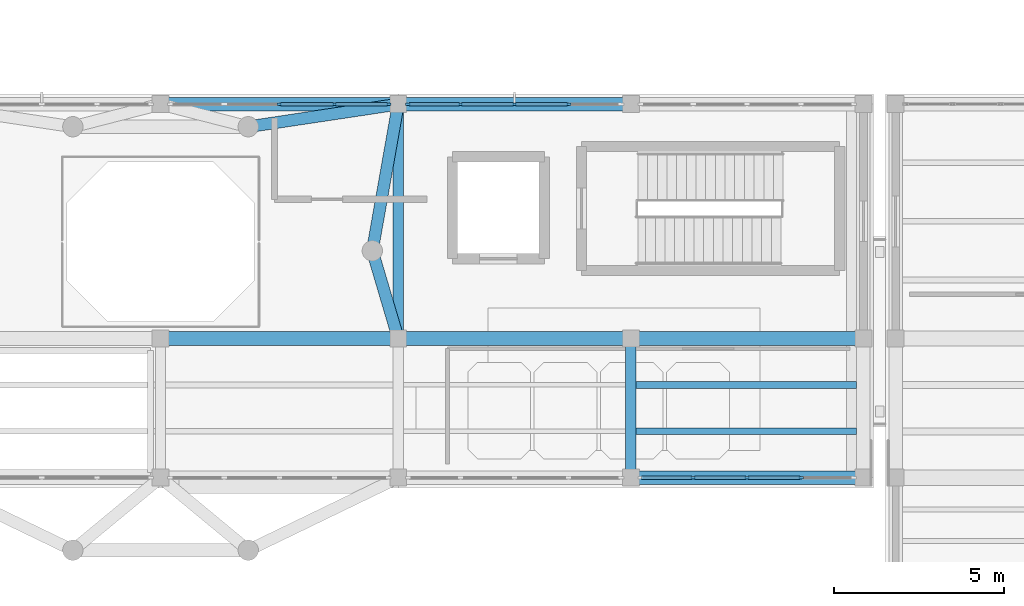
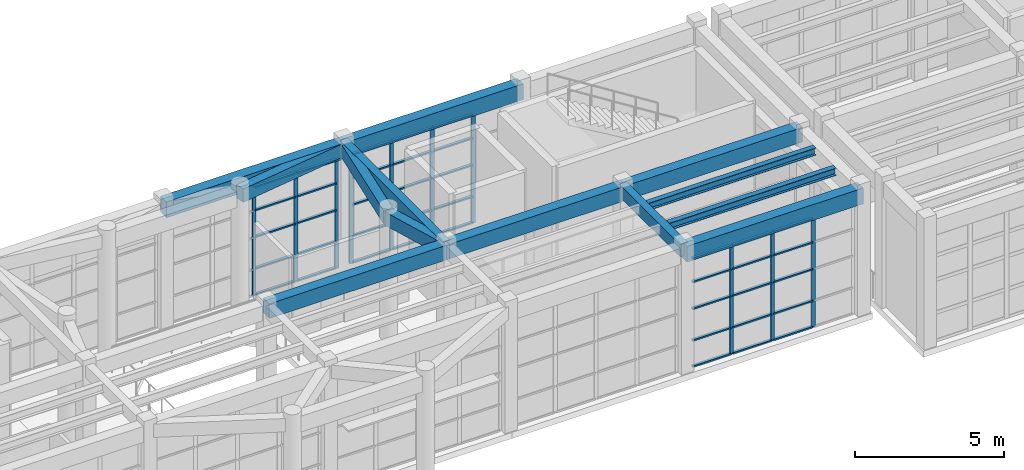
# One storey, part 19 of 103: 50 members, 13 beams, 3 elements without a shape of their own.
"""IFC4 building model written with IfcOpenShell, lengths in metres."""

from ifc_helpers import new_model, si_unit, direction, frame, origin, origin_2d, place, context, subcontext, project, spatial, rectangle, i_section, extrude, material, layer, layer_set, material_profile, profile_set, type_object, element, aggregate, save


model = new_model("IFC4")

# Units and contexts
model_context = context("Model", 3, precision=1e-05, world=origin(), true_north=direction((0.0, 1.0)))
body_context = subcontext(model_context, "Body", "Model", "MODEL_VIEW")
ifc_project = project(units=[si_unit("LENGTHUNIT", "METRE"), si_unit("AREAUNIT", "SQUARE_METRE"), si_unit("VOLUMEUNIT", "CUBIC_METRE"), si_unit("PLANEANGLEUNIT", "RADIAN"), si_unit("MASSUNIT", "GRAM", prefix="KILO")], contexts=[model_context])

# Site, building, storey
site_placement = place(None, origin())
site = spatial("IfcSite", under=ifc_project, at=site_placement, CompositionType="ELEMENT")
building_placement = place(site_placement, origin())
building = spatial("IfcBuilding", under=site, at=building_placement, Name="Candilejo Ridge Gondola Terminal", CompositionType="ELEMENT")
storey_placement = place(building_placement, frame((0.0, 0.0, 9.0)))
storey = spatial("IfcBuildingStorey", under=building, at=storey_placement, Name="L02", CompositionType="ELEMENT", Elevation=9.0)

# Curtain wall, members
ifc_material_1 = material(Name="Anodised aluminium AA 6063-T6", Category="aluminium")
ifc_layer_1 = layer(ifc_material_1, 0.169921875)
ifc_layer_set_1 = layer_set([ifc_layer_1], Name="ARC-CW-DRUM-3400-650X449")
curtain_wall_type_1 = type_object("IfcCurtainWallType", Name="ARC-CW-DRUM-3400-650X449", PredefinedType="NOTDEFINED", material=ifc_layer_set_1)
curtain_wall_1_placement = place(storey_placement, origin())
curtain_wall_1 = element("IfcCurtainWall", 1, at=curtain_wall_1_placement, inside=storey, type_object=curtain_wall_type_1, Name="Curtain wall V2 L02-052", PredefinedType="NOTDEFINED")
ifc_material_2 = material(Name="Anodised aluminium AA 6063-T6", Category="aluminium")
ifc_material_profile_1 = material_profile(ifc_material_2, rectangle(XDim=0.06494140625, YDim=0.14990234375, at=origin_2d()))
ifc_profile_set_1 = profile_set([ifc_material_profile_1], Name="Anodised aluminium AA 6063-T6")
member_type_1 = type_object("IfcMemberType", Name="ARC-CW-MULLION-150", PredefinedType="MULLION", material=ifc_profile_set_1)
member_1_placement = place(storey_placement, frame((68.85009765625, 36.699951171875, 0.0), z_axis=(0.0, 0.0, 1.0), x_axis=(0.0, 1.0, 0.0)))
member_1 = element("IfcMember", 2, at=member_1_placement, type_object=member_type_1, Name="CW-65X44 mullion 3", PredefinedType="MULLION", context=body_context, shape_type="SweptSolid", body=[
    extrude(rectangle(XDim=0.06494140625, YDim=0.14990234375, at=origin_2d()), origin(), (0.0, 0.0, 1.0), 4.489990234375),
])
member_2_placement = place(storey_placement, frame((70.47509765625, 36.699951171875, 0.0), z_axis=(0.0, 0.0, 1.0), x_axis=(0.0, 1.0, 0.0)))
member_2 = element("IfcMember", 3, at=member_2_placement, type_object=member_type_1, Name="CW-65X44 mullion 4", PredefinedType="MULLION", context=body_context, shape_type="SweptSolid", body=[
    extrude(rectangle(XDim=0.06494140625, YDim=0.14990234375, at=origin_2d()), origin(), (0.0, 0.0, 1.0), 4.489990234375),
])
member_3_placement = place(storey_placement, frame((72.0673828125, 36.699951171875, 0.0), z_axis=(0.0, 0.0, 1.0), x_axis=(0.0, 1.0, 0.0)))
member_3 = element("IfcMember", 4, at=member_3_placement, type_object=member_type_1, Name="CW-65X44 mullion 5", PredefinedType="MULLION", context=body_context, shape_type="SweptSolid", body=[
    extrude(rectangle(XDim=0.06494140625, YDim=0.14990234375, at=origin_2d()), origin(), (0.0, 0.0, 1.0), 4.489990234375),
])

ifc_material_3 = material(Name="Anodised aluminium AA 6063-T6", Category="aluminium")
ifc_layer_2 = layer(ifc_material_3, 0.169921875)
ifc_layer_set_2 = layer_set([ifc_layer_2], Name="ARC-CW-DRUM-3400-635X449")
curtain_wall_type_2 = type_object("IfcCurtainWallType", Name="ARC-CW-DRUM-3400-635X449", PredefinedType="NOTDEFINED", material=ifc_layer_set_2)
curtain_wall_2_placement = place(storey_placement, origin())
curtain_wall_2 = element("IfcCurtainWall", 5, at=curtain_wall_2_placement, inside=storey, type_object=curtain_wall_type_2, Name="Curtain wall V2 L02-054", PredefinedType="NOTDEFINED")
member_4_placement = place(storey_placement, frame((72.632568359375, 36.699951171875, 0.0), z_axis=(0.0, 0.0, 1.0), x_axis=(0.0, 1.0, 0.0)))
member_4 = element("IfcMember", 6, at=member_4_placement, type_object=member_type_1, Name="CW-63X44 mullion 1", PredefinedType="MULLION", context=body_context, shape_type="SweptSolid", body=[
    extrude(rectangle(XDim=0.06494140625, YDim=0.14990234375, at=origin_2d()), origin(), (0.0, 0.0, 1.0), 4.489990234375),
])
member_5_placement = place(storey_placement, frame((74.1875, 36.699951171875, 0.0), z_axis=(0.0, 0.0, 1.0), x_axis=(0.0, 1.0, 0.0)))
member_5 = element("IfcMember", 7, at=member_5_placement, type_object=member_type_1, Name="CW-63X44 mullion 2", PredefinedType="MULLION", context=body_context, shape_type="SweptSolid", body=[
    extrude(rectangle(XDim=0.06494140625, YDim=0.14990234375, at=origin_2d()), origin(), (0.0, 0.0, 1.0), 4.489990234375),
])
member_6_placement = place(storey_placement, frame((75.77490234375, 36.699951171875, 0.0), z_axis=(0.0, 0.0, 1.0), x_axis=(0.0, 1.0, 0.0)))
member_6 = element("IfcMember", 8, at=member_6_placement, type_object=member_type_1, Name="CW-63X44 mullion 3", PredefinedType="MULLION", context=body_context, shape_type="SweptSolid", body=[
    extrude(rectangle(XDim=0.06494140625, YDim=0.14990234375, at=origin_2d()), origin(), (0.0, 0.0, 1.0), 4.489990234375),
])
member_7_placement = place(storey_placement, frame((77.362548828125, 36.699951171875, 0.0), z_axis=(0.0, 0.0, 1.0), x_axis=(0.0, 1.0, 0.0)))
member_7 = element("IfcMember", 9, at=member_7_placement, type_object=member_type_1, Name="CW-63X44 mullion 4", PredefinedType="MULLION", context=body_context, shape_type="SweptSolid", body=[
    extrude(rectangle(XDim=0.06494140625, YDim=0.14990234375, at=origin_2d()), origin(), (0.0, 0.0, 1.0), 4.489990234375),
])

curtain_wall_3_placement = place(storey_placement, origin())
curtain_wall_3 = element("IfcCurtainWall", 10, at=curtain_wall_3_placement, inside=storey, type_object=curtain_wall_type_2, Name="Curtain wall V2 L02-057", PredefinedType="NOTDEFINED")
member_8_placement = place(storey_placement, frame((81.03759765625, 25.699951171875, 0.0), z_axis=(0.0, 0.0, 1.0), x_axis=(0.0, 1.0, 0.0)))
member_8 = element("IfcMember", 11, at=member_8_placement, type_object=member_type_1, Name="CW-63X44 mullion 2", PredefinedType="MULLION", context=body_context, shape_type="SweptSolid", body=[
    extrude(rectangle(XDim=0.06494140625, YDim=0.14990234375, at=origin_2d()), origin(), (0.0, 0.0, 1.0), 4.489990234375),
])
member_9_placement = place(storey_placement, frame((82.625, 25.699951171875, 0.0), z_axis=(0.0, 0.0, 1.0), x_axis=(0.0, 1.0, 0.0)))
member_9 = element("IfcMember", 12, at=member_9_placement, type_object=member_type_1, Name="CW-63X44 mullion 3", PredefinedType="MULLION", context=body_context, shape_type="SweptSolid", body=[
    extrude(rectangle(XDim=0.06494140625, YDim=0.14990234375, at=origin_2d()), origin(), (0.0, 0.0, 1.0), 4.489990234375),
])
member_10_placement = place(storey_placement, frame((84.21240234375, 25.699951171875, 0.0), z_axis=(0.0, 0.0, 1.0), x_axis=(0.0, 1.0, 0.0)))
member_10 = element("IfcMember", 13, at=member_10_placement, type_object=member_type_1, Name="CW-63X44 mullion 4", PredefinedType="MULLION", context=body_context, shape_type="SweptSolid", body=[
    extrude(rectangle(XDim=0.06494140625, YDim=0.14990234375, at=origin_2d()), origin(), (0.0, 0.0, 1.0), 4.489990234375),
])

# Member
ifc_material_4 = material(Name="Anodised aluminium AA 6063-T6", Category="aluminium")
ifc_material_profile_2 = material_profile(ifc_material_4, rectangle(XDim=0.110107421875, YDim=0.06005859375, at=origin_2d()))
ifc_profile_set_2 = profile_set([ifc_material_profile_2], Name="Anodised aluminium AA 6063-T6")
member_type_2 = type_object("IfcMemberType", Name="ARC-CW-TRANSOM-110", PredefinedType="USERDEFINED", material=ifc_profile_set_2)
member_11_placement = place(storey_placement, frame((68.882568359375, 36.699951171875, 0.030029296875), z_axis=(1.0, 0.0, 0.0), x_axis=(0.0, 1.0, 0.0)))
member_11 = element("IfcMember", 14, at=member_11_placement, type_object=member_type_2, Name="CW-65X44 transom 3.1", ObjectType="TRANSOM", PredefinedType="USERDEFINED", context=body_context, shape_type="SweptSolid", body=[
    extrude(rectangle(XDim=0.110107421875, YDim=0.06005859375, at=origin_2d()), origin(), (0.0, 0.0, 1.0), 1.559814453125),
])

member_12_placement = place(storey_placement, frame((68.882568359375, 36.699951171875, 1.10009765625), z_axis=(1.0, 0.0, 0.0), x_axis=(0.0, 1.0, 0.0)))
member_12 = element("IfcMember", 15, at=member_12_placement, type_object=member_type_2, Name="CW-65X44 transom 3.2", ObjectType="TRANSOM", PredefinedType="USERDEFINED", context=body_context, shape_type="SweptSolid", body=[
    extrude(rectangle(XDim=0.110107421875, YDim=0.06005859375, at=origin_2d()), origin(), (0.0, 0.0, 1.0), 1.559814453125),
])

member_13_placement = place(storey_placement, frame((68.882568359375, 36.699951171875, 2.39990234375), z_axis=(1.0, 0.0, 0.0), x_axis=(0.0, 1.0, 0.0)))
member_13 = element("IfcMember", 16, at=member_13_placement, type_object=member_type_2, Name="CW-65X44 transom 3.3", ObjectType="TRANSOM", PredefinedType="USERDEFINED", context=body_context, shape_type="SweptSolid", body=[
    extrude(rectangle(XDim=0.110107421875, YDim=0.06005859375, at=origin_2d()), origin(), (0.0, 0.0, 1.0), 1.559814453125),
])

member_14_placement = place(storey_placement, frame((68.882568359375, 36.699951171875, 3.5), z_axis=(1.0, 0.0, 0.0), x_axis=(0.0, 1.0, 0.0)))
member_14 = element("IfcMember", 17, at=member_14_placement, type_object=member_type_2, Name="CW-65X44 transom 3.4", ObjectType="TRANSOM", PredefinedType="USERDEFINED", context=body_context, shape_type="SweptSolid", body=[
    extrude(rectangle(XDim=0.110107421875, YDim=0.06005859375, at=origin_2d()), origin(), (0.0, 0.0, 1.0), 1.559814453125),
])

member_15_placement = place(storey_placement, frame((68.882568359375, 36.699951171875, 4.4599609375), z_axis=(1.0, 0.0, 0.0), x_axis=(0.0, 1.0, 0.0)))
member_15 = element("IfcMember", 18, at=member_15_placement, type_object=member_type_2, Name="CW-65X44 transom 3.5", ObjectType="TRANSOM", PredefinedType="USERDEFINED", context=body_context, shape_type="SweptSolid", body=[
    extrude(rectangle(XDim=0.110107421875, YDim=0.06005859375, at=origin_2d()), origin(), (0.0, 0.0, 1.0), 1.559814453125),
])

member_16_placement = place(storey_placement, frame((70.507568359375, 36.699951171875, 0.030029296875), z_axis=(1.0, 0.0, 0.0), x_axis=(0.0, 1.0, 0.0)))
member_16 = element("IfcMember", 19, at=member_16_placement, type_object=member_type_2, Name="CW-65X44 transom 4.1", ObjectType="TRANSOM", PredefinedType="USERDEFINED", context=body_context, shape_type="SweptSolid", body=[
    extrude(rectangle(XDim=0.110107421875, YDim=0.06005859375, at=origin_2d()), origin(), (0.0, 0.0, 1.0), 1.52734375),
])

member_17_placement = place(storey_placement, frame((70.507568359375, 36.699951171875, 1.10009765625), z_axis=(1.0, 0.0, 0.0), x_axis=(0.0, 1.0, 0.0)))
member_17 = element("IfcMember", 20, at=member_17_placement, type_object=member_type_2, Name="CW-65X44 transom 4.2", ObjectType="TRANSOM", PredefinedType="USERDEFINED", context=body_context, shape_type="SweptSolid", body=[
    extrude(rectangle(XDim=0.110107421875, YDim=0.06005859375, at=origin_2d()), origin(), (0.0, 0.0, 1.0), 1.52734375),
])

member_18_placement = place(storey_placement, frame((70.507568359375, 36.699951171875, 2.39990234375), z_axis=(1.0, 0.0, 0.0), x_axis=(0.0, 1.0, 0.0)))
member_18 = element("IfcMember", 21, at=member_18_placement, type_object=member_type_2, Name="CW-65X44 transom 4.3", ObjectType="TRANSOM", PredefinedType="USERDEFINED", context=body_context, shape_type="SweptSolid", body=[
    extrude(rectangle(XDim=0.110107421875, YDim=0.06005859375, at=origin_2d()), origin(), (0.0, 0.0, 1.0), 1.52734375),
])

member_19_placement = place(storey_placement, frame((70.507568359375, 36.699951171875, 3.5), z_axis=(1.0, 0.0, 0.0), x_axis=(0.0, 1.0, 0.0)))
member_19 = element("IfcMember", 22, at=member_19_placement, type_object=member_type_2, Name="CW-65X44 transom 4.4", ObjectType="TRANSOM", PredefinedType="USERDEFINED", context=body_context, shape_type="SweptSolid", body=[
    extrude(rectangle(XDim=0.110107421875, YDim=0.06005859375, at=origin_2d()), origin(), (0.0, 0.0, 1.0), 1.52734375),
])

member_20_placement = place(storey_placement, frame((70.507568359375, 36.699951171875, 4.4599609375), z_axis=(1.0, 0.0, 0.0), x_axis=(0.0, 1.0, 0.0)))
member_20 = element("IfcMember", 23, at=member_20_placement, type_object=member_type_2, Name="CW-65X44 transom 4.5", ObjectType="TRANSOM", PredefinedType="USERDEFINED", context=body_context, shape_type="SweptSolid", body=[
    extrude(rectangle(XDim=0.110107421875, YDim=0.06005859375, at=origin_2d()), origin(), (0.0, 0.0, 1.0), 1.52734375),
])

aggregate(curtain_wall_1, [member_1, member_2, member_3, member_11, member_12, member_13, member_14, member_15, member_16, member_17, member_18, member_19, member_20])

member_21_placement = place(storey_placement, frame((72.6650390625, 36.699951171875, 0.030029296875), z_axis=(1.0, 0.0, 0.0), x_axis=(0.0, 1.0, 0.0)))
member_21 = element("IfcMember", 24, at=member_21_placement, type_object=member_type_2, Name="CW-63X44 transom 1.1", ObjectType="TRANSOM", PredefinedType="USERDEFINED", context=body_context, shape_type="SweptSolid", body=[
    extrude(rectangle(XDim=0.110107421875, YDim=0.06005859375, at=origin_2d()), origin(), (0.0, 0.0, 1.0), 1.489990234375),
])

member_22_placement = place(storey_placement, frame((72.6650390625, 36.699951171875, 1.10009765625), z_axis=(1.0, 0.0, 0.0), x_axis=(0.0, 1.0, 0.0)))
member_22 = element("IfcMember", 25, at=member_22_placement, type_object=member_type_2, Name="CW-63X44 transom 1.2", ObjectType="TRANSOM", PredefinedType="USERDEFINED", context=body_context, shape_type="SweptSolid", body=[
    extrude(rectangle(XDim=0.110107421875, YDim=0.06005859375, at=origin_2d()), origin(), (0.0, 0.0, 1.0), 1.489990234375),
])

member_23_placement = place(storey_placement, frame((72.6650390625, 36.699951171875, 2.39990234375), z_axis=(1.0, 0.0, 0.0), x_axis=(0.0, 1.0, 0.0)))
member_23 = element("IfcMember", 26, at=member_23_placement, type_object=member_type_2, Name="CW-63X44 transom 1.3", ObjectType="TRANSOM", PredefinedType="USERDEFINED", context=body_context, shape_type="SweptSolid", body=[
    extrude(rectangle(XDim=0.110107421875, YDim=0.06005859375, at=origin_2d()), origin(), (0.0, 0.0, 1.0), 1.489990234375),
])

member_24_placement = place(storey_placement, frame((72.6650390625, 36.699951171875, 3.5), z_axis=(1.0, 0.0, 0.0), x_axis=(0.0, 1.0, 0.0)))
member_24 = element("IfcMember", 27, at=member_24_placement, type_object=member_type_2, Name="CW-63X44 transom 1.4", ObjectType="TRANSOM", PredefinedType="USERDEFINED", context=body_context, shape_type="SweptSolid", body=[
    extrude(rectangle(XDim=0.110107421875, YDim=0.06005859375, at=origin_2d()), origin(), (0.0, 0.0, 1.0), 1.489990234375),
])

member_25_placement = place(storey_placement, frame((72.6650390625, 36.699951171875, 4.4599609375), z_axis=(1.0, 0.0, 0.0), x_axis=(0.0, 1.0, 0.0)))
member_25 = element("IfcMember", 28, at=member_25_placement, type_object=member_type_2, Name="CW-63X44 transom 1.5", ObjectType="TRANSOM", PredefinedType="USERDEFINED", context=body_context, shape_type="SweptSolid", body=[
    extrude(rectangle(XDim=0.110107421875, YDim=0.06005859375, at=origin_2d()), origin(), (0.0, 0.0, 1.0), 1.489990234375),
])

member_26_placement = place(storey_placement, frame((74.219970703125, 36.699951171875, 0.030029296875), z_axis=(1.0, 0.0, 0.0), x_axis=(0.0, 1.0, 0.0)))
member_26 = element("IfcMember", 29, at=member_26_placement, type_object=member_type_2, Name="CW-63X44 transom 2.1", ObjectType="TRANSOM", PredefinedType="USERDEFINED", context=body_context, shape_type="SweptSolid", body=[
    extrude(rectangle(XDim=0.110107421875, YDim=0.06005859375, at=origin_2d()), origin(), (0.0, 0.0, 1.0), 1.5224609375),
])

member_27_placement = place(storey_placement, frame((74.219970703125, 36.699951171875, 1.10009765625), z_axis=(1.0, 0.0, 0.0), x_axis=(0.0, 1.0, 0.0)))
member_27 = element("IfcMember", 30, at=member_27_placement, type_object=member_type_2, Name="CW-63X44 transom 2.2", ObjectType="TRANSOM", PredefinedType="USERDEFINED", context=body_context, shape_type="SweptSolid", body=[
    extrude(rectangle(XDim=0.110107421875, YDim=0.06005859375, at=origin_2d()), origin(), (0.0, 0.0, 1.0), 1.5224609375),
])

member_28_placement = place(storey_placement, frame((74.219970703125, 36.699951171875, 2.39990234375), z_axis=(1.0, 0.0, 0.0), x_axis=(0.0, 1.0, 0.0)))
member_28 = element("IfcMember", 31, at=member_28_placement, type_object=member_type_2, Name="CW-63X44 transom 2.3", ObjectType="TRANSOM", PredefinedType="USERDEFINED", context=body_context, shape_type="SweptSolid", body=[
    extrude(rectangle(XDim=0.110107421875, YDim=0.06005859375, at=origin_2d()), origin(), (0.0, 0.0, 1.0), 1.5224609375),
])

member_29_placement = place(storey_placement, frame((74.219970703125, 36.699951171875, 3.5), z_axis=(1.0, 0.0, 0.0), x_axis=(0.0, 1.0, 0.0)))
member_29 = element("IfcMember", 32, at=member_29_placement, type_object=member_type_2, Name="CW-63X44 transom 2.4", ObjectType="TRANSOM", PredefinedType="USERDEFINED", context=body_context, shape_type="SweptSolid", body=[
    extrude(rectangle(XDim=0.110107421875, YDim=0.06005859375, at=origin_2d()), origin(), (0.0, 0.0, 1.0), 1.5224609375),
])

member_30_placement = place(storey_placement, frame((74.219970703125, 36.699951171875, 4.4599609375), z_axis=(1.0, 0.0, 0.0), x_axis=(0.0, 1.0, 0.0)))
member_30 = element("IfcMember", 33, at=member_30_placement, type_object=member_type_2, Name="CW-63X44 transom 2.5", ObjectType="TRANSOM", PredefinedType="USERDEFINED", context=body_context, shape_type="SweptSolid", body=[
    extrude(rectangle(XDim=0.110107421875, YDim=0.06005859375, at=origin_2d()), origin(), (0.0, 0.0, 1.0), 1.5224609375),
])

member_31_placement = place(storey_placement, frame((75.8076171875, 36.699951171875, 0.030029296875), z_axis=(1.0, 0.0, 0.0), x_axis=(0.0, 1.0, 0.0)))
member_31 = element("IfcMember", 34, at=member_31_placement, type_object=member_type_2, Name="CW-63X44 transom 3.1", ObjectType="TRANSOM", PredefinedType="USERDEFINED", context=body_context, shape_type="SweptSolid", body=[
    extrude(rectangle(XDim=0.110107421875, YDim=0.06005859375, at=origin_2d()), origin(), (0.0, 0.0, 1.0), 1.5224609375),
])

member_32_placement = place(storey_placement, frame((75.8076171875, 36.699951171875, 1.10009765625), z_axis=(1.0, 0.0, 0.0), x_axis=(0.0, 1.0, 0.0)))
member_32 = element("IfcMember", 35, at=member_32_placement, type_object=member_type_2, Name="CW-63X44 transom 3.2", ObjectType="TRANSOM", PredefinedType="USERDEFINED", context=body_context, shape_type="SweptSolid", body=[
    extrude(rectangle(XDim=0.110107421875, YDim=0.06005859375, at=origin_2d()), origin(), (0.0, 0.0, 1.0), 1.5224609375),
])

member_33_placement = place(storey_placement, frame((75.8076171875, 36.699951171875, 2.39990234375), z_axis=(1.0, 0.0, 0.0), x_axis=(0.0, 1.0, 0.0)))
member_33 = element("IfcMember", 36, at=member_33_placement, type_object=member_type_2, Name="CW-63X44 transom 3.3", ObjectType="TRANSOM", PredefinedType="USERDEFINED", context=body_context, shape_type="SweptSolid", body=[
    extrude(rectangle(XDim=0.110107421875, YDim=0.06005859375, at=origin_2d()), origin(), (0.0, 0.0, 1.0), 1.5224609375),
])

member_34_placement = place(storey_placement, frame((75.8076171875, 36.699951171875, 3.5), z_axis=(1.0, 0.0, 0.0), x_axis=(0.0, 1.0, 0.0)))
member_34 = element("IfcMember", 37, at=member_34_placement, type_object=member_type_2, Name="CW-63X44 transom 3.4", ObjectType="TRANSOM", PredefinedType="USERDEFINED", context=body_context, shape_type="SweptSolid", body=[
    extrude(rectangle(XDim=0.110107421875, YDim=0.06005859375, at=origin_2d()), origin(), (0.0, 0.0, 1.0), 1.5224609375),
])

member_35_placement = place(storey_placement, frame((75.8076171875, 36.699951171875, 4.4599609375), z_axis=(1.0, 0.0, 0.0), x_axis=(0.0, 1.0, 0.0)))
member_35 = element("IfcMember", 38, at=member_35_placement, type_object=member_type_2, Name="CW-63X44 transom 3.5", ObjectType="TRANSOM", PredefinedType="USERDEFINED", context=body_context, shape_type="SweptSolid", body=[
    extrude(rectangle(XDim=0.110107421875, YDim=0.06005859375, at=origin_2d()), origin(), (0.0, 0.0, 1.0), 1.5224609375),
])

aggregate(curtain_wall_2, [member_4, member_5, member_6, member_7, member_21, member_22, member_23, member_24, member_25, member_26, member_27, member_28, member_29, member_30, member_31, member_32, member_33, member_34, member_35])

member_36_placement = place(storey_placement, frame((79.514892578125, 25.699951171875, 0.030029296875), z_axis=(1.0, 0.0, 0.0), x_axis=(0.0, 1.0, 0.0)))
member_36 = element("IfcMember", 39, at=member_36_placement, type_object=member_type_2, Name="CW-63X44 transom 1.1", ObjectType="TRANSOM", PredefinedType="USERDEFINED", context=body_context, shape_type="SweptSolid", body=[
    extrude(rectangle(XDim=0.110107421875, YDim=0.06005859375, at=origin_2d()), origin(), (0.0, 0.0, 1.0), 1.489990234375),
])

member_37_placement = place(storey_placement, frame((79.514892578125, 25.699951171875, 1.10009765625), z_axis=(1.0, 0.0, 0.0), x_axis=(0.0, 1.0, 0.0)))
member_37 = element("IfcMember", 40, at=member_37_placement, type_object=member_type_2, Name="CW-63X44 transom 1.2", ObjectType="TRANSOM", PredefinedType="USERDEFINED", context=body_context, shape_type="SweptSolid", body=[
    extrude(rectangle(XDim=0.110107421875, YDim=0.06005859375, at=origin_2d()), origin(), (0.0, 0.0, 1.0), 1.489990234375),
])

member_38_placement = place(storey_placement, frame((79.514892578125, 25.699951171875, 2.39990234375), z_axis=(1.0, 0.0, 0.0), x_axis=(0.0, 1.0, 0.0)))
member_38 = element("IfcMember", 41, at=member_38_placement, type_object=member_type_2, Name="CW-63X44 transom 1.3", ObjectType="TRANSOM", PredefinedType="USERDEFINED", context=body_context, shape_type="SweptSolid", body=[
    extrude(rectangle(XDim=0.110107421875, YDim=0.06005859375, at=origin_2d()), origin(), (0.0, 0.0, 1.0), 1.489990234375),
])

member_39_placement = place(storey_placement, frame((79.514892578125, 25.699951171875, 3.5), z_axis=(1.0, 0.0, 0.0), x_axis=(0.0, 1.0, 0.0)))
member_39 = element("IfcMember", 42, at=member_39_placement, type_object=member_type_2, Name="CW-63X44 transom 1.4", ObjectType="TRANSOM", PredefinedType="USERDEFINED", context=body_context, shape_type="SweptSolid", body=[
    extrude(rectangle(XDim=0.110107421875, YDim=0.06005859375, at=origin_2d()), origin(), (0.0, 0.0, 1.0), 1.489990234375),
])

member_40_placement = place(storey_placement, frame((79.514892578125, 25.699951171875, 4.4599609375), z_axis=(1.0, 0.0, 0.0), x_axis=(0.0, 1.0, 0.0)))
member_40 = element("IfcMember", 43, at=member_40_placement, type_object=member_type_2, Name="CW-63X44 transom 1.5", ObjectType="TRANSOM", PredefinedType="USERDEFINED", context=body_context, shape_type="SweptSolid", body=[
    extrude(rectangle(XDim=0.110107421875, YDim=0.06005859375, at=origin_2d()), origin(), (0.0, 0.0, 1.0), 1.489990234375),
])

member_41_placement = place(storey_placement, frame((81.070068359375, 25.699951171875, 0.030029296875), z_axis=(1.0, 0.0, 0.0), x_axis=(0.0, 1.0, 0.0)))
member_41 = element("IfcMember", 44, at=member_41_placement, type_object=member_type_2, Name="CW-63X44 transom 2.1", ObjectType="TRANSOM", PredefinedType="USERDEFINED", context=body_context, shape_type="SweptSolid", body=[
    extrude(rectangle(XDim=0.110107421875, YDim=0.06005859375, at=origin_2d()), origin(), (0.0, 0.0, 1.0), 1.5224609375),
])

member_42_placement = place(storey_placement, frame((81.070068359375, 25.699951171875, 1.10009765625), z_axis=(1.0, 0.0, 0.0), x_axis=(0.0, 1.0, 0.0)))
member_42 = element("IfcMember", 45, at=member_42_placement, type_object=member_type_2, Name="CW-63X44 transom 2.2", ObjectType="TRANSOM", PredefinedType="USERDEFINED", context=body_context, shape_type="SweptSolid", body=[
    extrude(rectangle(XDim=0.110107421875, YDim=0.06005859375, at=origin_2d()), origin(), (0.0, 0.0, 1.0), 1.5224609375),
])

member_43_placement = place(storey_placement, frame((81.070068359375, 25.699951171875, 2.39990234375), z_axis=(1.0, 0.0, 0.0), x_axis=(0.0, 1.0, 0.0)))
member_43 = element("IfcMember", 46, at=member_43_placement, type_object=member_type_2, Name="CW-63X44 transom 2.3", ObjectType="TRANSOM", PredefinedType="USERDEFINED", context=body_context, shape_type="SweptSolid", body=[
    extrude(rectangle(XDim=0.110107421875, YDim=0.06005859375, at=origin_2d()), origin(), (0.0, 0.0, 1.0), 1.5224609375),
])

member_44_placement = place(storey_placement, frame((81.070068359375, 25.699951171875, 3.5), z_axis=(1.0, 0.0, 0.0), x_axis=(0.0, 1.0, 0.0)))
member_44 = element("IfcMember", 47, at=member_44_placement, type_object=member_type_2, Name="CW-63X44 transom 2.4", ObjectType="TRANSOM", PredefinedType="USERDEFINED", context=body_context, shape_type="SweptSolid", body=[
    extrude(rectangle(XDim=0.110107421875, YDim=0.06005859375, at=origin_2d()), origin(), (0.0, 0.0, 1.0), 1.5224609375),
])

member_45_placement = place(storey_placement, frame((81.070068359375, 25.699951171875, 4.4599609375), z_axis=(1.0, 0.0, 0.0), x_axis=(0.0, 1.0, 0.0)))
member_45 = element("IfcMember", 48, at=member_45_placement, type_object=member_type_2, Name="CW-63X44 transom 2.5", ObjectType="TRANSOM", PredefinedType="USERDEFINED", context=body_context, shape_type="SweptSolid", body=[
    extrude(rectangle(XDim=0.110107421875, YDim=0.06005859375, at=origin_2d()), origin(), (0.0, 0.0, 1.0), 1.5224609375),
])

member_46_placement = place(storey_placement, frame((82.657470703125, 25.699951171875, 0.030029296875), z_axis=(1.0, 0.0, 0.0), x_axis=(0.0, 1.0, 0.0)))
member_46 = element("IfcMember", 49, at=member_46_placement, type_object=member_type_2, Name="CW-63X44 transom 3.1", ObjectType="TRANSOM", PredefinedType="USERDEFINED", context=body_context, shape_type="SweptSolid", body=[
    extrude(rectangle(XDim=0.110107421875, YDim=0.06005859375, at=origin_2d()), origin(), (0.0, 0.0, 1.0), 1.5224609375),
])

member_47_placement = place(storey_placement, frame((82.657470703125, 25.699951171875, 1.10009765625), z_axis=(1.0, 0.0, 0.0), x_axis=(0.0, 1.0, 0.0)))
member_47 = element("IfcMember", 50, at=member_47_placement, type_object=member_type_2, Name="CW-63X44 transom 3.2", ObjectType="TRANSOM", PredefinedType="USERDEFINED", context=body_context, shape_type="SweptSolid", body=[
    extrude(rectangle(XDim=0.110107421875, YDim=0.06005859375, at=origin_2d()), origin(), (0.0, 0.0, 1.0), 1.5224609375),
])

member_48_placement = place(storey_placement, frame((82.657470703125, 25.699951171875, 2.39990234375), z_axis=(1.0, 0.0, 0.0), x_axis=(0.0, 1.0, 0.0)))
member_48 = element("IfcMember", 51, at=member_48_placement, type_object=member_type_2, Name="CW-63X44 transom 3.3", ObjectType="TRANSOM", PredefinedType="USERDEFINED", context=body_context, shape_type="SweptSolid", body=[
    extrude(rectangle(XDim=0.110107421875, YDim=0.06005859375, at=origin_2d()), origin(), (0.0, 0.0, 1.0), 1.5224609375),
])

member_49_placement = place(storey_placement, frame((82.657470703125, 25.699951171875, 3.5), z_axis=(1.0, 0.0, 0.0), x_axis=(0.0, 1.0, 0.0)))
member_49 = element("IfcMember", 52, at=member_49_placement, type_object=member_type_2, Name="CW-63X44 transom 3.4", ObjectType="TRANSOM", PredefinedType="USERDEFINED", context=body_context, shape_type="SweptSolid", body=[
    extrude(rectangle(XDim=0.110107421875, YDim=0.06005859375, at=origin_2d()), origin(), (0.0, 0.0, 1.0), 1.5224609375),
])

member_50_placement = place(storey_placement, frame((82.657470703125, 25.699951171875, 4.4599609375), z_axis=(1.0, 0.0, 0.0), x_axis=(0.0, 1.0, 0.0)))
member_50 = element("IfcMember", 53, at=member_50_placement, type_object=member_type_2, Name="CW-63X44 transom 3.5", ObjectType="TRANSOM", PredefinedType="USERDEFINED", context=body_context, shape_type="SweptSolid", body=[
    extrude(rectangle(XDim=0.110107421875, YDim=0.06005859375, at=origin_2d()), origin(), (0.0, 0.0, 1.0), 1.5224609375),
])

aggregate(curtain_wall_3, [member_8, member_9, member_10, member_36, member_37, member_38, member_39, member_40, member_41, member_42, member_43, member_44, member_45, member_46, member_47, member_48, member_49, member_50])

# Beams
ifc_material_5 = material(Name="Concrete f'c 35 MPa (C35/45)", Category="concrete")
ifc_material_profile_3 = material_profile(ifc_material_5, rectangle(XDim=0.300048828125, YDim=0.5, at=origin_2d()))
ifc_profile_set_3 = profile_set([ifc_material_profile_3], Name="Concrete f'c 35 MPa (C35/45)")
beam_type_1 = type_object("IfcBeamType", Name="STR-BM-RC300X500", PredefinedType="BEAM", material=ifc_profile_set_3)
beam_1_placement = place(storey_placement, frame((72.35009765625, 29.800048828125, 4.925048828125), z_axis=(0.0, 1.0, 0.0), x_axis=(-1.0, 0.0, 0.0)))
element("IfcBeam", 54, at=beam_1_placement, inside=storey, type_object=beam_type_1, Name="Beam Y V2 L02 Y06-Y07@X11", PredefinedType="BEAM", context=body_context, shape_type="SweptSolid", body=[
    extrude(rectangle(XDim=0.300048828125, YDim=0.5, at=origin_2d()), origin(), (0.0, 0.0, 1.0), 6.89990234375),
])
beam_2_placement = place(storey_placement, frame((79.199951171875, 25.699951171875, 4.925048828125), z_axis=(0.0, 1.0, 0.0), x_axis=(-1.0, 0.0, 0.0)))
element("IfcBeam", 55, at=beam_2_placement, inside=storey, type_object=beam_type_1, Name="Beam Y V2 L02 Y05-Y06@X12", PredefinedType="BEAM", context=body_context, shape_type="SweptSolid", body=[
    extrude(rectangle(XDim=0.300048828125, YDim=0.5, at=origin_2d()), origin(), (0.0, 0.0, 1.0), 4.10009765625),
])
ifc_material_6 = material(Name="Concrete f'c 35 MPa (C35/45)", Category="concrete")
ifc_material_profile_4 = material_profile(ifc_material_6, rectangle(XDim=0.35009765625, YDim=0.550048828125, at=origin_2d()))
ifc_profile_set_4 = profile_set([ifc_material_profile_4], Name="Concrete f'c 35 MPa (C35/45)")
beam_type_2 = type_object("IfcBeamType", Name="STR-BM-RC350X550", PredefinedType="BEAM", material=ifc_profile_set_4)
beam_3_placement = place(storey_placement, frame((71.586181640625, 32.383056640625, 4.89990234375), z_axis=(0.283603790168, -0.958941546812, 0.0), x_axis=(0.958941546812, 0.283603790168, 0.0)))
element("IfcBeam", 56, at=beam_3_placement, inside=storey, type_object=beam_type_2, Name="Rotunda radial tie beam L02 ROT1", PredefinedType="BEAM", context=body_context, shape_type="SweptSolid", body=[
    extrude(rectangle(XDim=0.35009765625, YDim=0.550048828125, at=origin_2d()), origin(), (0.0, 0.0, 1.0), 2.693603515625),
])
beam_4_placement = place(storey_placement, frame((71.586181640625, 32.383056640625, 4.89990234375), z_axis=(0.174252320949, 0.984701035159, 0.0), x_axis=(-0.984701035159, 0.174252320949, 0.0)))
element("IfcBeam", 57, at=beam_4_placement, inside=storey, type_object=beam_type_2, Name="Rotunda radial tie beam L02 ROT1", PredefinedType="BEAM", context=body_context, shape_type="SweptSolid", body=[
    extrude(rectangle(XDim=0.35009765625, YDim=0.550048828125, at=origin_2d()), origin(), (0.0, 0.0, 1.0), 4.384033203125),
])
beam_5_placement = place(storey_placement, frame((67.93310546875, 36.0361328125, 4.89990234375), z_axis=(0.98889461777, 0.148618420612, 0.0), x_axis=(-0.148618420612, 0.98889461777, 0.0)))
element("IfcBeam", 58, at=beam_5_placement, inside=storey, type_object=beam_type_2, Name="Rotunda radial tie beam L02 ROT2", PredefinedType="BEAM", context=body_context, shape_type="SweptSolid", body=[
    extrude(rectangle(XDim=0.35009765625, YDim=0.550048828125, at=origin_2d()), origin(), (0.0, 0.0, 1.0), 4.466552734375),
])
ifc_material_7 = material(Name="Concrete f'c 35 MPa (C35/45)", Category="concrete")
ifc_material_profile_5 = material_profile(ifc_material_7, rectangle(XDim=0.39990234375, YDim=0.60009765625, at=origin_2d()))
ifc_profile_set_5 = profile_set([ifc_material_profile_5], Name="Concrete f'c 35 MPa (C35/45)")
beam_type_3 = type_object("IfcBeamType", Name="STR-BM-RC400X600", PredefinedType="BEAM", material=ifc_profile_set_5)
beam_6_placement = place(storey_placement, frame((65.35009765625, 29.800048828125, 4.875), z_axis=(1.0, 0.0, 0.0), x_axis=(0.0, 1.0, 0.0)))
element("IfcBeam", 59, at=beam_6_placement, inside=storey, type_object=beam_type_3, Name="Beam X V2 L02 X10-X11@Y06", PredefinedType="BEAM", context=body_context, shape_type="SweptSolid", body=[
    extrude(rectangle(XDim=0.39990234375, YDim=0.60009765625, at=origin_2d()), origin(), (0.0, 0.0, 1.0), 7.0),
])
beam_7_placement = place(storey_placement, frame((72.35009765625, 29.800048828125, 4.875), z_axis=(1.0, 0.0, 0.0), x_axis=(0.0, 1.0, 0.0)))
element("IfcBeam", 60, at=beam_7_placement, inside=storey, type_object=beam_type_3, Name="Beam X V2 L02 X11-X12@Y06", PredefinedType="BEAM", context=body_context, shape_type="SweptSolid", body=[
    extrude(rectangle(XDim=0.39990234375, YDim=0.60009765625, at=origin_2d()), origin(), (0.0, 0.0, 1.0), 6.849853515625),
])
beam_8_placement = place(storey_placement, frame((79.199951171875, 29.800048828125, 4.875), z_axis=(1.0, 0.0, 0.0), x_axis=(0.0, 1.0, 0.0)))
element("IfcBeam", 61, at=beam_8_placement, inside=storey, type_object=beam_type_3, Name="Beam X V2 L02 X12-X13@Y06", PredefinedType="BEAM", context=body_context, shape_type="SweptSolid", body=[
    extrude(rectangle(XDim=0.39990234375, YDim=0.60009765625, at=origin_2d()), origin(), (0.0, 0.0, 1.0), 6.85009765625),
])
ifc_material_8 = material(Name="Steel ASTM A992 Grade 50", Category="steel")
ifc_material_profile_6 = material_profile(ifc_material_8, i_section(OverallWidth=0.202880859375, OverallDepth=0.302978515625, WebThickness=0.007568359375, FlangeThickness=0.01318359375, at=origin_2d()))
ifc_profile_set_6 = profile_set([ifc_material_profile_6], Name="Steel ASTM A992 Grade 50")
beam_type_4 = type_object("IfcBeamType", Name="STR-JST-W310X60", PredefinedType="JOIST", material=ifc_profile_set_6)
for number, where, z_axis, x_axis, name in (
    (62, (79.35009765625, 27.066650390625, 5.0234375), (1.0, 0.0, 0.0), (0.0, 1.0, 0.0), "Composite joist V2 L02-0316"),
    (63, (79.35009765625, 28.433349609375, 5.0234375), (1.0, 0.0, 0.0), (0.0, 1.0, 0.0), "Composite joist V2 L02-0317"),
):
    element("IfcBeam", number, at=place(storey_placement, frame(where, z_axis=z_axis, x_axis=x_axis)), inside=storey, type_object=beam_type_4, Name=name, PredefinedType="JOIST", context=body_context, shape_type="SweptSolid", body=[
        extrude(i_section(OverallWidth=0.202880859375, OverallDepth=0.302978515625, WebThickness=0.007568359375, FlangeThickness=0.01318359375, at=origin_2d()), origin(), (0.0, 0.0, 1.0), 6.5),
    ])
ifc_material_9 = material(Name="Concrete f'c 35 MPa (C35/45)", Category="concrete")
ifc_material_profile_7 = material_profile(ifc_material_9, rectangle(XDim=0.39990234375, YDim=0.64990234375, at=origin_2d()))
ifc_profile_set_7 = profile_set([ifc_material_profile_7], Name="Concrete f'c 35 MPa (C35/45)")
beam_type_5 = type_object("IfcBeamType", Name="STR-SPN-RC400X650", PredefinedType="SPANDREL", material=ifc_profile_set_7)
beam_9_placement = place(storey_placement, frame((79.199951171875, 25.699951171875, 4.85009765625), z_axis=(1.0, 0.0, 0.0), x_axis=(0.0, 1.0, 0.0)))
element("IfcBeam", 64, at=beam_9_placement, inside=storey, type_object=beam_type_5, Name="Beam X V2 L02 X12-X13@Y05", PredefinedType="SPANDREL", context=body_context, shape_type="SweptSolid", body=[
    extrude(rectangle(XDim=0.39990234375, YDim=0.64990234375, at=origin_2d()), origin(), (0.0, 0.0, 1.0), 6.85009765625),
])
beam_10_placement = place(storey_placement, frame((65.35009765625, 36.699951171875, 4.85009765625), z_axis=(1.0, 0.0, 0.0), x_axis=(0.0, 1.0, 0.0)))
element("IfcBeam", 65, at=beam_10_placement, inside=storey, type_object=beam_type_5, Name="Beam X V2 L02 X10-X11@Y07", PredefinedType="SPANDREL", context=body_context, shape_type="SweptSolid", body=[
    extrude(rectangle(XDim=0.39990234375, YDim=0.64990234375, at=origin_2d()), origin(), (0.0, 0.0, 1.0), 7.0),
])
beam_11_placement = place(storey_placement, frame((72.35009765625, 36.699951171875, 4.85009765625), z_axis=(1.0, 0.0, 0.0), x_axis=(0.0, 1.0, 0.0)))
element("IfcBeam", 66, at=beam_11_placement, inside=storey, type_object=beam_type_5, Name="Beam X V2 L02 X11-X12@Y07", PredefinedType="SPANDREL", context=body_context, shape_type="SweptSolid", body=[
    extrude(rectangle(XDim=0.39990234375, YDim=0.64990234375, at=origin_2d()), origin(), (0.0, 0.0, 1.0), 6.849853515625),
])

save(model, "model.ifc")
